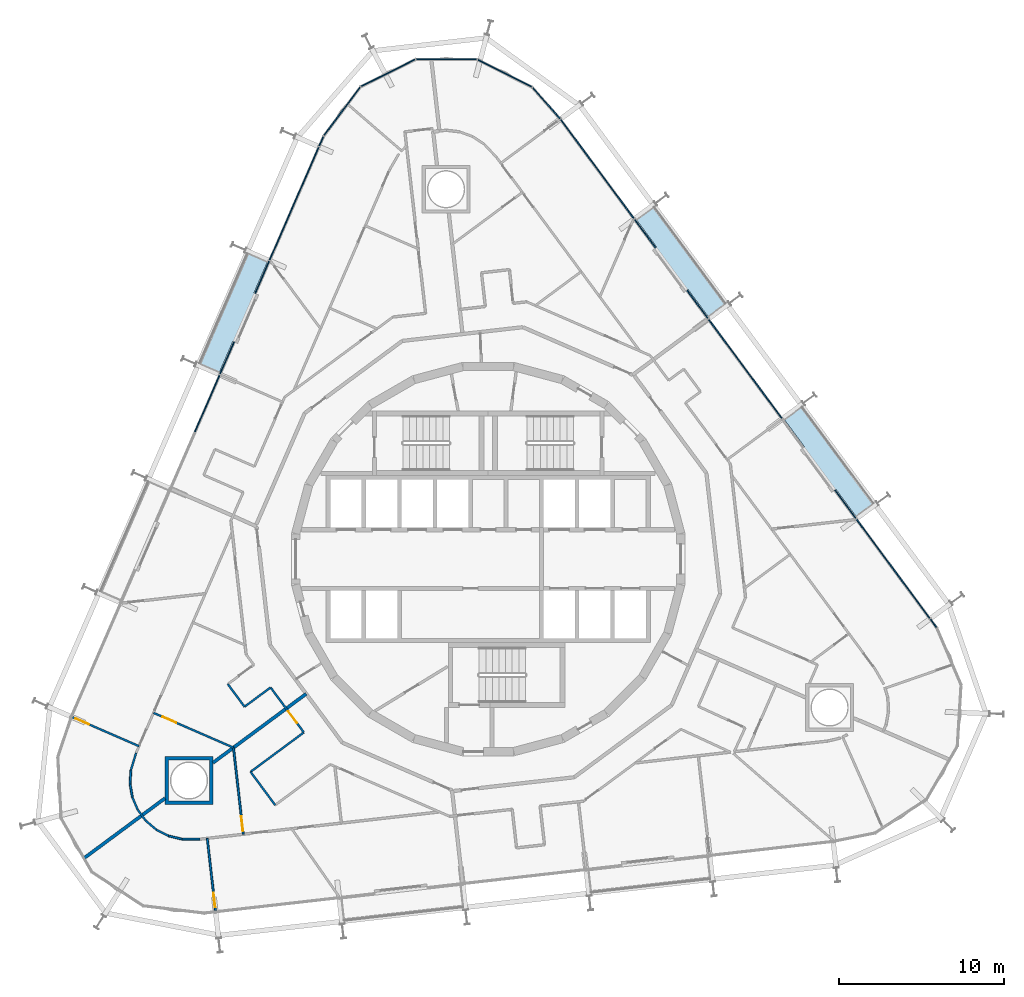
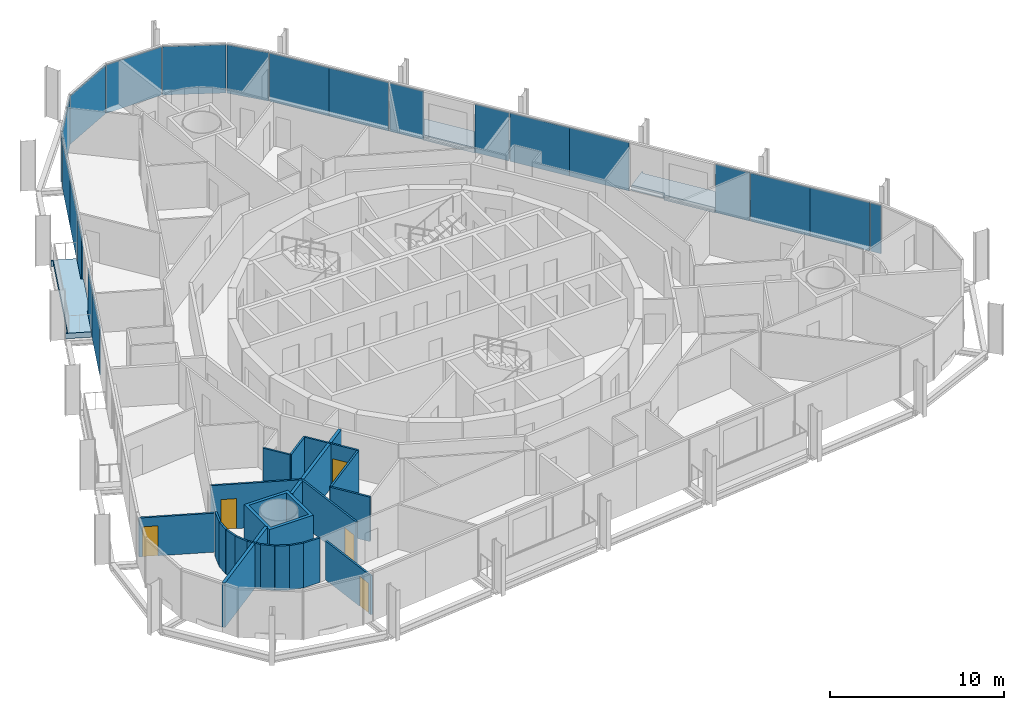
# One storey, part 13 of 21: 21 plates, 21 walls, 5 doors, 3 slabs, 5 openings, 4 elements without a shape of their own.
"""IFC4 building model written with IfcOpenShell, lengths in metres."""

from ifc_helpers import new_model, si_unit, direction, frame, frame_2d, origin, origin_2d, place, context, subcontext, project, spatial, polyline, rectangle, outline, extrude, material, layer, layer_set, type_object, element, fill, aggregate, save


model = new_model("IFC4")

# Units and contexts
model_context = context("Model", 3, precision=1e-05, world=origin(), true_north=direction((0.0, 1.0)))
body_context = subcontext(model_context, "Body", "Model", "MODEL_VIEW")
ifc_project = project(units=[si_unit("LENGTHUNIT", "METRE"), si_unit("AREAUNIT", "SQUARE_METRE"), si_unit("VOLUMEUNIT", "CUBIC_METRE"), si_unit("PLANEANGLEUNIT", "RADIAN"), si_unit("MASSUNIT", "GRAM", prefix="KILO")], contexts=[model_context])

# Site, building, storey
site_placement = place(None, origin())
site = spatial("IfcSite", under=ifc_project, at=site_placement, CompositionType="ELEMENT")
building_placement = place(site_placement, origin())
building = spatial("IfcBuilding", under=site, at=building_placement, Name="Spindle Arch Residences", CompositionType="ELEMENT")
storey_placement = place(building_placement, frame((0.0, 0.0, 97.699951171875)))
storey = spatial("IfcBuildingStorey", under=building, at=storey_placement, Name="L23", CompositionType="ELEMENT", Elevation=97.699951171875)

# Slabs
ifc_material_1 = material(Name="Concrete C40/50", Category="concrete")
ifc_layer_1 = layer(ifc_material_1, 0.3798828125)
ifc_layer_set_1 = layer_set([ifc_layer_1], Name="Balcony slab 380")
slab_type = type_object("IfcSlabType", Name="Balcony slab 380", PredefinedType="FLOOR", material=ifc_layer_set_1)
slab_1_placement = place(storey_placement, frame((0.0, 0.0, -0.3798828125)))
element("IfcSlab", 1, at=slab_1_placement, inside=storey, type_object=slab_type, Name="Balcony L23 bay 7", PredefinedType="FLOOR", context=body_context, shape_type="SweptSolid", body=[
    extrude(outline(polyline([(23.470703125, 3.430419921875), (23.426025390625, 3.49072265625), (23.305419921875, 3.401611328125), (19.011474609375, 9.204345703125), (19.132080078125, 9.293701171875), (19.08740234375, 9.35400390625), (17.8896484375, 8.4677734375), (19.129638671875, 6.7919921875), (19.0009765625, 6.697021484375), (20.904296875, 4.12451171875), (21.032958984375, 4.2197265625), (22.27294921875, 2.544189453125), (23.470703125, 3.430419921875)])), origin(), (0.0, 0.0, 1.0), 0.3798828125),
])
slab_2_placement = place(storey_placement, frame((0.0, 0.0, -0.3798828125)))
element("IfcSlab", 2, at=slab_2_placement, inside=storey, type_object=slab_type, Name="Balcony L23 bay 9", PredefinedType="FLOOR", context=body_context, shape_type="SweptSolid", body=[
    extrude(outline(polyline([(14.52587890625, 15.5185546875), (14.481201171875, 15.578857421875), (14.360595703125, 15.48974609375), (10.066650390625, 21.29248046875), (10.187255859375, 21.3818359375), (10.142822265625, 21.442138671875), (8.945068359375, 20.5556640625), (10.184814453125, 18.880126953125), (10.05615234375, 18.78515625), (11.959716796875, 16.212646484375), (12.088134765625, 16.307861328125), (13.328125, 14.63232421875), (14.52587890625, 15.5185546875)])), origin(), (0.0, 0.0, 1.0), 0.3798828125),
])
slab_3_placement = place(storey_placement, frame((0.0, 0.0, -0.3798828125)))
element("IfcSlab", 3, at=slab_3_placement, inside=storey, type_object=slab_type, Name="Balcony L23 bay 15", PredefinedType="FLOOR", context=body_context, shape_type="SweptSolid", body=[
    extrude(outline(polyline([(-14.7060546875, 18.61083984375), (-14.736083984375, 18.5419921875), (-14.5986328125, 18.482177734375), (-17.47705078125, 11.8623046875), (-17.614501953125, 11.922119140625), (-17.64453125, 11.853271484375), (-16.278076171875, 11.259033203125), (-15.447021484375, 13.170654296875), (-15.30029296875, 13.10693359375), (-14.024169921875, 16.04150390625), (-14.1708984375, 16.105224609375), (-13.33984375, 18.016845703125), (-14.7060546875, 18.61083984375)])), origin(), (0.0, 0.0, 1.0), 0.3798828125),
])

# Curtain wall, plate
ifc_material_2 = material(Name="Aluminium bronze unitised frame with tinted glass", Category="aluminium")
ifc_layer_2 = layer(ifc_material_2, 0.159912109375)
ifc_layer_set_2 = layer_set([ifc_layer_2], Name="CW-D corner wall on the fillet arcs")
curtain_wall_type_1 = type_object("IfcCurtainWallType", Name="CW-D corner wall on the fillet arcs", PredefinedType="NOTDEFINED", material=ifc_layer_set_2)
curtain_wall_1_placement = place(storey_placement, origin())
curtain_wall_1 = element("IfcCurtainWall", 4, at=curtain_wall_1_placement, inside=storey, type_object=curtain_wall_type_1, Name="CW-D L23 run 1", PredefinedType="NOTDEFINED")
ifc_material_3 = material(Name="Tinted double glazing over non-combustible spandrel zone with 0.55 mm stainless steel cavity fire stop (K0)", Category="steel")
ifc_layer_3 = layer(ifc_material_3, 0.070068359375)
ifc_layer_set_3 = layer_set([ifc_layer_3], Name="Unitised glass panel with spandrel zone and stainless cavity fire stop")
plate_type = type_object("IfcPlateType", Name="Unitised glass panel with spandrel zone and stainless cavity fire stop", PredefinedType="CURTAIN_PANEL", material=ifc_layer_set_3)
plate_1_placement = place(storey_placement, frame((26.93408203125, -3.8896484375, -0.3798828125), z_axis=(0.0, 0.0, 1.0), x_axis=(-0.594822786751, 0.803856860617, 0.0)))
plate_1 = element("IfcPlate", 5, at=plate_1_placement, type_object=plate_type, Name="CW-D unit 05", PredefinedType="CURTAIN_PANEL", context=body_context, shape_type="SweptSolid", body=[
    extrude(rectangle(XDim=0.6416015625, YDim=0.070068359375, at=origin_2d()), origin(), (0.0, 0.0, 1.0), 3.3798828125),
])
aggregate(curtain_wall_1, [plate_1])

# Curtain wall, plates
ifc_material_4 = material(Name="Aluminium bronze unitised frame with tinted glass", Category="aluminium")
ifc_layer_4 = layer(ifc_material_4, 0.159912109375)
ifc_layer_set_4 = layer_set([ifc_layer_4], Name="CW-C typical residential unitised wall")
curtain_wall_type_2 = type_object("IfcCurtainWallType", Name="CW-C typical residential unitised wall", PredefinedType="NOTDEFINED", material=ifc_layer_set_4)
curtain_wall_2_placement = place(storey_placement, origin())
curtain_wall_2 = element("IfcCurtainWall", 6, at=curtain_wall_2_placement, inside=storey, type_object=curtain_wall_type_2, Name="CW-C L23 run 2", PredefinedType="NOTDEFINED")
plate_2_placement = place(storey_placement, frame((25.598388671875, -2.084716796875, -0.3798828125), z_axis=(0.0, 0.0, 1.0), x_axis=(-0.594822786751, 0.803856860617, 0.0)))
plate_2 = element("IfcPlate", 7, at=plate_2_placement, type_object=plate_type, Name="CW-C unit 05A", PredefinedType="CURTAIN_PANEL", context=body_context, shape_type="SweptSolid", body=[
    extrude(rectangle(XDim=3.7294921875, YDim=0.070068359375, at=origin_2d()), origin(), (0.0, 0.0, 1.0), 3.3798828125),
])
plate_3_placement = place(storey_placement, frame((23.380126953125, 0.913330078125, -0.3798828125), z_axis=(0.0, 0.0, 1.0), x_axis=(-0.594822786751, 0.803856860617, 0.0)))
plate_3 = element("IfcPlate", 8, at=plate_3_placement, type_object=plate_type, Name="CW-C unit 05B", PredefinedType="CURTAIN_PANEL", context=body_context, shape_type="SweptSolid", body=[
    extrude(rectangle(XDim=3.7294921875, YDim=0.070068359375, at=origin_2d()), origin(), (0.0, 0.0, 1.0), 3.3798828125),
])
plate_4_placement = place(storey_placement, frame((21.60205078125, 3.31640625, -0.3798828125), z_axis=(0.0, 0.0, 1.0), x_axis=(-0.594822786751, 0.803856860617, 0.0)))
plate_4 = element("IfcPlate", 9, at=plate_4_placement, type_object=plate_type, Name="CW-C unit 06L", PredefinedType="CURTAIN_PANEL", context=body_context, shape_type="SweptSolid", body=[
    extrude(rectangle(XDim=2.12939453125, YDim=0.070068359375, at=origin_2d()), origin(), (0.0, 0.0, 1.0), 3.3798828125),
])
plate_5_placement = place(storey_placement, frame((16.65380859375, 10.00341796875, -0.3798828125), z_axis=(0.0, 0.0, 1.0), x_axis=(-0.594822786751, 0.803856860617, 0.0)))
plate_5 = element("IfcPlate", 10, at=plate_5_placement, type_object=plate_type, Name="CW-C unit 07A", PredefinedType="CURTAIN_PANEL", context=body_context, shape_type="SweptSolid", body=[
    extrude(rectangle(XDim=3.7294921875, YDim=0.070068359375, at=origin_2d()), origin(), (0.0, 0.0, 1.0), 3.3798828125),
])
plate_6_placement = place(storey_placement, frame((14.435546875, 13.00146484375, -0.3798828125), z_axis=(0.0, 0.0, 1.0), x_axis=(-0.594822786751, 0.803856860617, 0.0)))
plate_6 = element("IfcPlate", 11, at=plate_6_placement, type_object=plate_type, Name="CW-C unit 07B", PredefinedType="CURTAIN_PANEL", context=body_context, shape_type="SweptSolid", body=[
    extrude(rectangle(XDim=3.7294921875, YDim=0.070068359375, at=origin_2d()), origin(), (0.0, 0.0, 1.0), 3.3798828125),
])
plate_7_placement = place(storey_placement, frame((12.6572265625, 15.404296875, -0.3798828125), z_axis=(0.0, 0.0, 1.0), x_axis=(-0.594822786751, 0.803856860617, 0.0)))
plate_7 = element("IfcPlate", 12, at=plate_7_placement, type_object=plate_type, Name="CW-C unit 08L", PredefinedType="CURTAIN_PANEL", context=body_context, shape_type="SweptSolid", body=[
    extrude(rectangle(XDim=2.12939453125, YDim=0.070068359375, at=origin_2d()), origin(), (0.0, 0.0, 1.0), 3.3798828125),
])
plate_8_placement = place(storey_placement, frame((9.4873046875, 19.6884765625, -0.3798828125), z_axis=(0.0, 0.0, 1.0), x_axis=(-0.594822786751, 0.803856860617, 0.0)))
plate_8 = element("IfcPlate", 13, at=plate_8_placement, type_object=plate_type, Name="CW-C unit 08R", PredefinedType="CURTAIN_PANEL", context=body_context, shape_type="SweptSolid", body=[
    extrude(rectangle(XDim=2.12939453125, YDim=0.070068359375, at=origin_2d()), origin(), (0.0, 0.0, 1.0), 3.3798828125),
])
plate_9_placement = place(storey_placement, frame((7.708984375, 22.091552734375, -0.3798828125), z_axis=(0.0, 0.0, 1.0), x_axis=(-0.594822786751, 0.803856860617, 0.0)))
plate_9 = element("IfcPlate", 14, at=plate_9_placement, type_object=plate_type, Name="CW-C unit 09A", PredefinedType="CURTAIN_PANEL", context=body_context, shape_type="SweptSolid", body=[
    extrude(rectangle(XDim=3.7294921875, YDim=0.070068359375, at=origin_2d()), origin(), (0.0, 0.0, 1.0), 3.3798828125),
])
plate_10_placement = place(storey_placement, frame((5.49072265625, 25.08935546875, -0.3798828125), z_axis=(0.0, 0.0, 1.0), x_axis=(-0.594822786751, 0.803856860617, 0.0)))
plate_10 = element("IfcPlate", 15, at=plate_10_placement, type_object=plate_type, Name="CW-C unit 09B", PredefinedType="CURTAIN_PANEL", context=body_context, shape_type="SweptSolid", body=[
    extrude(rectangle(XDim=3.7294921875, YDim=0.070068359375, at=origin_2d()), origin(), (0.0, 0.0, 1.0), 3.3798828125),
])
aggregate(curtain_wall_2, [plate_2, plate_3, plate_4, plate_5, plate_6, plate_7, plate_8, plate_9, plate_10])

curtain_wall_3_placement = place(storey_placement, origin())
curtain_wall_3 = element("IfcCurtainWall", 16, at=curtain_wall_3_placement, inside=storey, type_object=curtain_wall_type_1, Name="CW-D L23 run 3", PredefinedType="NOTDEFINED")
plate_11_placement = place(storey_placement, frame((3.513427734375, 27.57861328125, -0.3798828125), z_axis=(0.0, 0.0, 1.0), x_axis=(-0.660703891733, 0.750646632877, 0.0)))
plate_11 = element("IfcPlate", 17, at=plate_11_placement, type_object=plate_type, Name="CW-D unit 00", PredefinedType="CURTAIN_PANEL", context=body_context, shape_type="SweptSolid", body=[
    extrude(rectangle(XDim=2.51416015625, YDim=0.070068359375, at=origin_2d()), origin(), (0.0, 0.0, 1.0), 3.3798828125),
])
plate_12_placement = place(storey_placement, frame((1.000244140625, 29.385986328125, -0.3798828125), z_axis=(0.0, 0.0, 1.0), x_axis=(-0.892323355439, 0.451396753797, 0.0)))
plate_12 = element("IfcPlate", 18, at=plate_12_placement, type_object=plate_type, Name="CW-D unit 01", PredefinedType="CURTAIN_PANEL", context=body_context, shape_type="SweptSolid", body=[
    extrude(rectangle(XDim=3.666748046875, YDim=0.070068359375, at=origin_2d()), origin(), (0.0, 0.0, 1.0), 3.3798828125),
])
plate_13_placement = place(storey_placement, frame((-2.52587890625, 30.232421875, -0.3798828125), z_axis=(0.0, 0.0, 1.0), x_axis=(-0.999995769195, 0.002908881551, 0.0)))
plate_13 = element("IfcPlate", 19, at=plate_13_placement, type_object=plate_type, Name="CW-D unit 02", PredefinedType="CURTAIN_PANEL", context=body_context, shape_type="SweptSolid", body=[
    extrude(rectangle(XDim=3.666748046875, YDim=0.070068359375, at=origin_2d()), origin(), (0.0, 0.0, 1.0), 3.3798828125),
])
plate_14_placement = place(storey_placement, frame((-6.056884765625, 29.406494140625, -0.3798828125), z_axis=(0.0, 0.0, 1.0), x_axis=(-0.89493436175, -0.446197812813, 0.0)))
plate_14 = element("IfcPlate", 20, at=plate_14_placement, type_object=plate_type, Name="CW-D unit 03", PredefinedType="CURTAIN_PANEL", context=body_context, shape_type="SweptSolid", body=[
    extrude(rectangle(XDim=3.666748046875, YDim=0.070068359375, at=origin_2d()), origin(), (0.0, 0.0, 1.0), 3.3798828125),
])
plate_15_placement = place(storey_placement, frame((-8.841552734375, 27.08349609375, -0.3798828125), z_axis=(0.0, 0.0, 1.0), x_axis=(-0.599489340736, -0.800382739909, 0.0)))
plate_15 = element("IfcPlate", 21, at=plate_15_placement, type_object=plate_type, Name="CW-D unit 04", PredefinedType="CURTAIN_PANEL", context=body_context, shape_type="SweptSolid", body=[
    extrude(rectangle(XDim=3.666748046875, YDim=0.070068359375, at=origin_2d()), origin(), (0.0, 0.0, 1.0), 3.3798828125),
])
plate_16_placement = place(storey_placement, frame((-10.098388671875, 25.2705078125, -0.3798828125), z_axis=(0.0, 0.0, 1.0), x_axis=(-0.398749068925, -0.917060074385, 0.0)))
plate_16 = element("IfcPlate", 22, at=plate_16_placement, type_object=plate_type, Name="CW-D unit 05", PredefinedType="CURTAIN_PANEL", context=body_context, shape_type="SweptSolid", body=[
    extrude(rectangle(XDim=0.6416015625, YDim=0.070068359375, at=origin_2d()), origin(), (0.0, 0.0, 1.0), 3.3798828125),
])
aggregate(curtain_wall_3, [plate_11, plate_12, plate_13, plate_14, plate_15, plate_16])

curtain_wall_4_placement = place(storey_placement, origin())
curtain_wall_4 = element("IfcCurtainWall", 23, at=curtain_wall_4_placement, inside=storey, type_object=curtain_wall_type_2, Name="CW-C L23 run 4", PredefinedType="NOTDEFINED")
plate_17_placement = place(storey_placement, frame((-10.993896484375, 23.211181640625, -0.3798828125), z_axis=(0.0, 0.0, 1.0), x_axis=(-0.398749068925, -0.917060074385, 0.0)))
plate_17 = element("IfcPlate", 24, at=plate_17_placement, type_object=plate_type, Name="CW-C unit 13A", PredefinedType="CURTAIN_PANEL", context=body_context, shape_type="SweptSolid", body=[
    extrude(rectangle(XDim=3.7294921875, YDim=0.070068359375, at=origin_2d()), origin(), (0.0, 0.0, 1.0), 3.3798828125),
])
plate_18_placement = place(storey_placement, frame((-12.48095703125, 19.791259765625, -0.3798828125), z_axis=(0.0, 0.0, 1.0), x_axis=(-0.398749068925, -0.917060074385, 0.0)))
plate_18 = element("IfcPlate", 25, at=plate_18_placement, type_object=plate_type, Name="CW-C unit 13B", PredefinedType="CURTAIN_PANEL", context=body_context, shape_type="SweptSolid", body=[
    extrude(rectangle(XDim=3.7294921875, YDim=0.070068359375, at=origin_2d()), origin(), (0.0, 0.0, 1.0), 3.3798828125),
])
plate_19_placement = place(storey_placement, frame((-13.673095703125, 17.0498046875, -0.3798828125), z_axis=(0.0, 0.0, 1.0), x_axis=(-0.398749068925, -0.917060074385, 0.0)))
plate_19 = element("IfcPlate", 26, at=plate_19_placement, type_object=plate_type, Name="CW-C unit 14L", PredefinedType="CURTAIN_PANEL", context=body_context, shape_type="SweptSolid", body=[
    extrude(rectangle(XDim=2.12939453125, YDim=0.070068359375, at=origin_2d()), origin(), (0.0, 0.0, 1.0), 3.3798828125),
])
plate_20_placement = place(storey_placement, frame((-15.798095703125, 12.162353515625, -0.3798828125), z_axis=(0.0, 0.0, 1.0), x_axis=(-0.398749068925, -0.917060074385, 0.0)))
plate_20 = element("IfcPlate", 27, at=plate_20_placement, type_object=plate_type, Name="CW-C unit 14R", PredefinedType="CURTAIN_PANEL", context=body_context, shape_type="SweptSolid", body=[
    extrude(rectangle(XDim=2.12939453125, YDim=0.070068359375, at=origin_2d()), origin(), (0.0, 0.0, 1.0), 3.3798828125),
])
plate_21_placement = place(storey_placement, frame((-16.990234375, 9.4208984375, -0.3798828125), z_axis=(0.0, 0.0, 1.0), x_axis=(-0.398749068925, -0.917060074385, 0.0)))
plate_21 = element("IfcPlate", 28, at=plate_21_placement, type_object=plate_type, Name="CW-C unit 15A", PredefinedType="CURTAIN_PANEL", context=body_context, shape_type="SweptSolid", body=[
    extrude(rectangle(XDim=3.7294921875, YDim=0.070068359375, at=origin_2d()), origin(), (0.0, 0.0, 1.0), 3.3798828125),
])
aggregate(curtain_wall_4, [plate_17, plate_18, plate_19, plate_20, plate_21])

# Walls
ifc_material_5 = material(Name="Plasterboard on steel studs", Category="steel")
ifc_layer_5 = layer(ifc_material_5, 0.1201171875)
ifc_layer_set_5 = layer_set([ifc_layer_5], Name="Flat partition 120")
wall_type_1 = type_object("IfcWallType", Name="Flat partition 120", PredefinedType="PARTITIONING", material=ifc_layer_set_5)
wall_1_placement = place(storey_placement, frame((-15.75, -7.562255859375, 0.0), z_axis=(0.0, 0.0, 1.0), x_axis=(0.594863421241, -0.803826791087, 0.0)))
element("IfcWall", 29, at=wall_1_placement, inside=storey, type_object=wall_type_1, Name="Flat partition R2C0-W086", PredefinedType="PARTITIONING", context=body_context, shape_type="SweptSolid", body=[
    extrude(rectangle(XDim=1.699951171875, YDim=0.1201171875, at=frame_2d((0.85009765625, 0.0))), origin(), (0.0, 0.0, 1.0), 3.1201171875),
])
wall_2_placement = place(storey_placement, frame((-14.73876953125, -8.9287109375, 0.0), z_axis=(0.0, 0.0, 1.0), x_axis=(0.803901491033, 0.594762467474, 0.0)))
element("IfcWall", 30, at=wall_2_placement, inside=storey, type_object=wall_type_1, Name="Flat partition R2C0-W087", PredefinedType="PARTITIONING", context=body_context, shape_type="SweptSolid", body=[
    extrude(rectangle(XDim=1.958740234375, YDim=0.1201171875, at=frame_2d((0.9794921875, 0.0))), origin(), (0.0, 0.0, 1.0), 3.1201171875),
])

# Wall, opening, door
wall_3_placement = place(storey_placement, frame((-13.1640625, -7.763671875, 0.0), z_axis=(0.0, 0.0, 1.0), x_axis=(0.594837409261, -0.803846040324, 0.0)))
wall_3 = element("IfcWall", 31, at=wall_3_placement, inside=storey, type_object=wall_type_1, Name="Flat partition R2C0-W088", PredefinedType="PARTITIONING", context=body_context, shape_type="SweptSolid", body=[
    extrude(rectangle(XDim=3.3828125, YDim=0.1201171875, at=frame_2d((1.69140625, 0.0))), origin(), (0.0, 0.0, 1.0), 3.1201171875),
])
opening_1_placement = place(wall_3_placement, frame((1.789306640625, 0.0, 0.0)))
opening_1 = element("IfcOpeningElement", 32, at=opening_1_placement, cuts=wall_3, Name="Opening R2C0-ID27", PredefinedType="OPENING", context=body_context, shape_type="SweptSolid", body=[
    extrude(rectangle(XDim=0.89990234375, YDim=2.10009765625, at=frame_2d((0.449951171875, 1.050048828125))), frame((0.0, 0.070068359375, 0.0), z_axis=(0.0, -1.0, 0.0), x_axis=(1.0, 0.0, 0.0)), (0.0, 0.0, 1.0), 0.14013671875),
])
ifc_material_6 = material(Name="Timber door set", Category="wood")
door_type = type_object("IfcDoorType", Name="Room door 900x2100", OperationType="NOTDEFINED", PredefinedType="DOOR", material=ifc_material_6)
door_1_placement = place(opening_1_placement, origin())
door_1 = element("IfcDoor", 33, at=door_1_placement, inside=storey, type_object=door_type, Name="Room door R2C0-ID27", OperationType="SINGLE_SWING_LEFT", OverallHeight=2.10009765625, OverallWidth=0.89990234375, PredefinedType="DOOR", context=body_context, shape_type="SweptSolid", body=[
    extrude(rectangle(XDim=0.89990234375, YDim=2.10009765625, at=frame_2d((0.449951171875, 1.050048828125))), frame((0.0, 0.02490234375, 0.0), z_axis=(0.0, -1.0, 0.0), x_axis=(1.0, 0.0, 0.0)), (0.0, 0.0, 1.0), 0.050048828125),
])
fill(opening_1, door_1)

wall_4_placement = place(storey_placement, frame((-20.2451171875, -9.30029296875, 0.0), z_axis=(0.0, 0.0, 1.0), x_axis=(0.91706784774, -0.398731190956, 0.0)))
wall_4 = element("IfcWall", 34, at=wall_4_placement, inside=storey, type_object=wall_type_1, Name="Flat partition R2C0-W093", PredefinedType="PARTITIONING", context=body_context, shape_type="SweptSolid", body=[
    extrude(rectangle(XDim=5.2724609375, YDim=0.1201171875, at=frame_2d((2.63623046875, 0.0))), origin(), (0.0, 0.0, 1.0), 3.1201171875),
])
opening_2_placement = place(wall_4_placement, frame((0.60009765625, 0.0, 0.0)))
opening_2 = element("IfcOpeningElement", 35, at=opening_2_placement, cuts=wall_4, Name="Opening R2C0-ID23", PredefinedType="OPENING", context=body_context, shape_type="SweptSolid", body=[
    extrude(rectangle(XDim=0.89990234375, YDim=2.10009765625, at=frame_2d((0.449951171875, 1.050048828125))), frame((0.0, 0.070068359375, 0.0), z_axis=(0.0, -1.0, 0.0), x_axis=(1.0, 0.0, 0.0)), (0.0, 0.0, 1.0), 0.14013671875),
])
door_2_placement = place(opening_2_placement, origin())
door_2 = element("IfcDoor", 36, at=door_2_placement, inside=storey, type_object=door_type, Name="Room door R2C0-ID23", OperationType="SINGLE_SWING_RIGHT", OverallHeight=2.10009765625, OverallWidth=0.89990234375, PredefinedType="DOOR", context=body_context, shape_type="SweptSolid", body=[
    extrude(rectangle(XDim=0.89990234375, YDim=2.10009765625, at=frame_2d((0.449951171875, 1.050048828125))), frame((0.0, 0.02490234375, 0.0), z_axis=(0.0, -1.0, 0.0), x_axis=(1.0, 0.0, 0.0)), (0.0, 0.0, 1.0), 0.050048828125),
])
fill(opening_2, door_2)

# Walls
for number, where, z_axis, x_axis, name in (
    (37, (-20.702880859375, -15.834716796875, 0.0), (0.0, 0.0, 1.0), (-0.594755442796, 0.803906688158, 0.0), "Flat partition R2C0-W094"),
    (38, (-21.19580078125, -15.16845703125, 0.0), (0.0, 0.0, 1.0), (-0.393528213057, 0.919312539634, 0.0), "Flat partition R2C0-W095"),
):
    element("IfcWall", number, at=place(storey_placement, frame(where, z_axis=z_axis, x_axis=x_axis)), inside=storey, type_object=wall_type_1, Name=name, PredefinedType="PARTITIONING", context=body_context, shape_type="SweptSolid", body=[
        extrude(rectangle(XDim=0.828857421875, YDim=0.1201171875, at=frame_2d((0.41455078125, 0.0))), origin(), (0.0, 0.0, 1.0), 3.1201171875),
    ])
wall_5_placement = place(storey_placement, frame((-21.52197265625, -14.406494140625, 0.0), z_axis=(0.0, 0.0, 1.0), x_axis=(-0.170794347099, 0.985306698952, 0.0)))
element("IfcWall", 39, at=wall_5_placement, inside=storey, type_object=wall_type_1, Name="Flat partition R2C0-W096", PredefinedType="PARTITIONING", context=body_context, shape_type="SweptSolid", body=[
    extrude(rectangle(XDim=0.8291015625, YDim=0.1201171875, at=frame_2d((0.41455078125, 0.0))), origin(), (0.0, 0.0, 1.0), 3.1201171875),
])
wall_6_placement = place(storey_placement, frame((-21.66357421875, -13.589599609375, 0.0), z_axis=(0.0, 0.0, 1.0), x_axis=(0.061277779288, 0.998120751095, 0.0)))
element("IfcWall", 40, at=wall_6_placement, inside=storey, type_object=wall_type_1, Name="Flat partition R2C0-W097", PredefinedType="PARTITIONING", context=body_context, shape_type="SweptSolid", body=[
    extrude(rectangle(XDim=0.82861328125, YDim=0.1201171875, at=frame_2d((0.414306640625, 0.0))), origin(), (0.0, 0.0, 1.0), 3.1201171875),
])
wall_7_placement = place(storey_placement, frame((-21.61279296875, -12.762451171875, 0.0), z_axis=(0.0, 0.0, 1.0), x_axis=(0.289552239308, 0.95716221233, 0.0)))
element("IfcWall", 41, at=wall_7_placement, inside=storey, type_object=wall_type_1, Name="Flat partition R2C0-W098", PredefinedType="PARTITIONING", context=body_context, shape_type="SweptSolid", body=[
    extrude(rectangle(XDim=1.0869140625, YDim=0.1201171875, at=frame_2d((0.54345703125, 0.0))), origin(), (0.0, 0.0, 1.0), 3.1201171875),
])
wall_8_placement = place(storey_placement, frame((-11.15185546875, -10.48291015625, 0.0), z_axis=(0.0, 0.0, 1.0), x_axis=(-0.803843064298, -0.594841430954, 0.0)))
element("IfcWall", 42, at=wall_8_placement, inside=storey, type_object=wall_type_1, Name="Flat partition R2C0-W099", PredefinedType="PARTITIONING", context=body_context, shape_type="SweptSolid", body=[
    extrude(rectangle(XDim=4.0078125, YDim=0.1201171875, at=frame_2d((2.00390625, 0.0))), origin(), (0.0, 0.0, 1.0), 3.1201171875),
])
wall_9_placement = place(storey_placement, frame((-14.37353515625, -12.866943359375, 0.0), z_axis=(0.0, 0.0, 1.0), x_axis=(0.594800097121, -0.803873649565, 0.0)))
element("IfcWall", 43, at=wall_9_placement, inside=storey, type_object=wall_type_1, Name="Flat partition R2C0-W100", PredefinedType="PARTITIONING", context=body_context, shape_type="SweptSolid", body=[
    extrude(rectangle(XDim=2.5, YDim=0.1201171875, at=frame_2d((1.25, 0.0))), origin(), (0.0, 0.0, 1.0), 3.1201171875),
])
for number, where, z_axis, x_axis, name in (
    (44, (-20.702880859375, -15.834716796875, 0.0), (0.0, 0.0, 1.0), (0.764223440539, -0.644951574097, 0.0), "Flat partition R2C0-W104"),
    (45, (-20.0693359375, -16.369384765625, 0.0), (0.0, 0.0, 1.0), (0.89229682893, -0.451449187706, 0.0), "Flat partition R2C0-W105"),
):
    element("IfcWall", number, at=place(storey_placement, frame(where, z_axis=z_axis, x_axis=x_axis)), inside=storey, type_object=wall_type_1, Name=name, PredefinedType="PARTITIONING", context=body_context, shape_type="SweptSolid", body=[
        extrude(rectangle(XDim=0.8291015625, YDim=0.1201171875, at=frame_2d((0.41455078125, 0.0))), origin(), (0.0, 0.0, 1.0), 3.1201171875),
    ])
wall_10_placement = place(storey_placement, frame((-19.32958984375, -16.74365234375, 0.0), z_axis=(0.0, 0.0, 1.0), x_axis=(0.972403343288, -0.23330610357, 0.0)))
element("IfcWall", 46, at=wall_10_placement, inside=storey, type_object=wall_type_1, Name="Flat partition R2C0-W106", PredefinedType="PARTITIONING", context=body_context, shape_type="SweptSolid", body=[
    extrude(rectangle(XDim=0.828857421875, YDim=0.1201171875, at=frame_2d((0.41455078125, 0.0))), origin(), (0.0, 0.0, 1.0), 3.1201171875),
])
wall_11_placement = place(storey_placement, frame((-18.523681640625, -16.93701171875, 0.0), z_axis=(0.0, 0.0, 1.0), x_axis=(0.999995736722, -0.00292002349, 0.0)))
element("IfcWall", 47, at=wall_11_placement, inside=storey, type_object=wall_type_1, Name="Flat partition R2C0-W107", PredefinedType="PARTITIONING", context=body_context, shape_type="SweptSolid", body=[
    extrude(rectangle(XDim=1.0869140625, YDim=0.1201171875, at=frame_2d((0.54345703125, 0.0))), origin(), (0.0, 0.0, 1.0), 3.1201171875),
])

# Wall, opening, door
wall_12_placement = place(storey_placement, frame((-14.81298828125, -16.641357421875, 0.0), z_axis=(0.0, 0.0, 1.0), x_axis=(-0.113210971478, 0.993570971767, 0.0)))
wall_12 = element("IfcWall", 48, at=wall_12_placement, inside=storey, type_object=wall_type_1, Name="Flat partition R2C0-W109", PredefinedType="PARTITIONING", context=body_context, shape_type="SweptSolid", body=[
    extrude(rectangle(XDim=5.272705078125, YDim=0.1201171875, at=frame_2d((2.63623046875, 0.0))), origin(), (0.0, 0.0, 1.0), 3.1201171875),
])
opening_3_placement = place(wall_12_placement, frame((0.199951171875, 0.0, 0.0)))
opening_3 = element("IfcOpeningElement", 49, at=opening_3_placement, cuts=wall_12, Name="Opening R2C0-ID28", PredefinedType="OPENING", context=body_context, shape_type="SweptSolid", body=[
    extrude(rectangle(XDim=0.89990234375, YDim=2.10009765625, at=frame_2d((0.449951171875, 1.050048828125))), frame((0.0, 0.070068359375, 0.0), z_axis=(0.0, -1.0, 0.0), x_axis=(1.0, 0.0, 0.0)), (0.0, 0.0, 1.0), 0.14013671875),
])
door_3_placement = place(opening_3_placement, origin())
door_3 = element("IfcDoor", 50, at=door_3_placement, inside=storey, type_object=door_type, Name="Room door R2C0-ID28", OperationType="SINGLE_SWING_LEFT", OverallHeight=2.10009765625, OverallWidth=0.89990234375, PredefinedType="DOOR", context=body_context, shape_type="SweptSolid", body=[
    extrude(rectangle(XDim=0.89990234375, YDim=2.10009765625, at=frame_2d((0.449951171875, 1.050048828125))), frame((0.0, 0.02490234375, 0.0), z_axis=(0.0, -1.0, 0.0), x_axis=(1.0, 0.0, 0.0)), (0.0, 0.0, 1.0), 0.050048828125),
])
fill(opening_3, door_3)

ifc_material_7 = material(Name="Plasterboard on steel studs", Category="steel")
ifc_layer_6 = layer(ifc_material_7, 0.1201171875)
ifc_layer_set_6 = layer_set([ifc_layer_6], Name="Flat partition 120 under beam 2730")
wall_type_2 = type_object("IfcWallType", Name="Flat partition 120 under beam 2730", PredefinedType="PARTITIONING", material=ifc_layer_set_6)
wall_13_placement = place(storey_placement, frame((-25.155517578125, -9.55908203125, 0.0), z_axis=(0.0, 0.0, 1.0), x_axis=(0.917042707292, -0.398789008127, 0.0)))
wall_13 = element("IfcWall", 51, at=wall_13_placement, inside=storey, type_object=wall_type_2, Name="Flat partition R2C0-W092", PredefinedType="PARTITIONING", context=body_context, shape_type="SweptSolid", body=[
    extrude(rectangle(XDim=4.39990234375, YDim=0.1201171875, at=frame_2d((2.199951171875, 0.0))), origin(), (0.0, 0.0, 1.0), 2.72998046875),
])
opening_4_placement = place(wall_13_placement, frame((0.199951171875, 0.0, 0.0)))
opening_4 = element("IfcOpeningElement", 52, at=opening_4_placement, cuts=wall_13, Name="Opening R2C0-ID25", PredefinedType="OPENING", context=body_context, shape_type="SweptSolid", body=[
    extrude(rectangle(XDim=0.89990234375, YDim=2.10009765625, at=frame_2d((0.449951171875, 1.050048828125))), frame((0.0, 0.070068359375, 0.0), z_axis=(0.0, -1.0, 0.0), x_axis=(1.0, 0.0, 0.0)), (0.0, 0.0, 1.0), 0.14013671875),
])
door_4_placement = place(opening_4_placement, origin())
door_4 = element("IfcDoor", 53, at=door_4_placement, inside=storey, type_object=door_type, Name="Room door R2C0-ID25", OperationType="SINGLE_SWING_RIGHT", OverallHeight=2.10009765625, OverallWidth=0.89990234375, PredefinedType="DOOR", context=body_context, shape_type="SweptSolid", body=[
    extrude(rectangle(XDim=0.89990234375, YDim=2.10009765625, at=frame_2d((0.449951171875, 1.050048828125))), frame((0.0, 0.02490234375, 0.0), z_axis=(0.0, -1.0, 0.0), x_axis=(1.0, 0.0, 0.0)), (0.0, 0.0, 1.0), 0.050048828125),
])
fill(opening_4, door_4)

wall_14_placement = place(storey_placement, frame((-16.49609375, -21.26171875, 0.0), z_axis=(0.0, 0.0, 1.0), x_axis=(-0.1132445713, 0.993567142709, 0.0)))
wall_14 = element("IfcWall", 54, at=wall_14_placement, inside=storey, type_object=wall_type_2, Name="Flat partition R2C0-W110", PredefinedType="PARTITIONING", context=body_context, shape_type="SweptSolid", body=[
    extrude(rectangle(XDim=4.400146484375, YDim=0.1201171875, at=frame_2d((2.2001953125, 0.0))), origin(), (0.0, 0.0, 1.0), 2.72998046875),
])
opening_5_placement = place(wall_14_placement, frame((0.199951171875, 0.0, 0.0)))
opening_5 = element("IfcOpeningElement", 55, at=opening_5_placement, cuts=wall_14, Name="Opening R2C0-ID31", PredefinedType="OPENING", context=body_context, shape_type="SweptSolid", body=[
    extrude(rectangle(XDim=0.89990234375, YDim=2.10009765625, at=frame_2d((0.449951171875, 1.050048828125))), frame((0.0, 0.070068359375, 0.0), z_axis=(0.0, -1.0, 0.0), x_axis=(1.0, 0.0, 0.0)), (0.0, 0.0, 1.0), 0.14013671875),
])
door_5_placement = place(opening_5_placement, origin())
door_5 = element("IfcDoor", 56, at=door_5_placement, inside=storey, type_object=door_type, Name="Room door R2C0-ID31", OperationType="SINGLE_SWING_LEFT", OverallHeight=2.10009765625, OverallWidth=0.89990234375, PredefinedType="DOOR", context=body_context, shape_type="SweptSolid", body=[
    extrude(rectangle(XDim=0.89990234375, YDim=2.10009765625, at=frame_2d((0.449951171875, 1.050048828125))), frame((0.0, 0.02490234375, 0.0), z_axis=(0.0, -1.0, 0.0), x_axis=(1.0, 0.0, 0.0)), (0.0, 0.0, 1.0), 0.050048828125),
])
fill(opening_5, door_5)

# Walls
ifc_material_8 = material(Name="Calcium silicate block, plastered")
ifc_layer_7 = layer(ifc_material_8, 0.199951171875)
ifc_layer_set_7 = layer_set([ifc_layer_7], Name="Flat party wall 200")
wall_type_3 = type_object("IfcWallType", Name="Flat party wall 200", PredefinedType="STANDARD", material=ifc_layer_set_7)
wall_15_placement = place(storey_placement, frame((-16.64892578125, -12.319580078125, 0.0), z_axis=(0.0, 0.0, 1.0), x_axis=(0.803869204071, 0.594806105169, 0.0)))
element("IfcWall", 57, at=wall_15_placement, inside=storey, type_object=wall_type_3, Name="Flat party wall R2C0-W026", PredefinedType="STANDARD", context=body_context, shape_type="SweptSolid", body=[
    extrude(rectangle(XDim=7.011474609375, YDim=0.199951171875, at=frame_2d((3.505859375, 0.0))), origin(), (0.0, 0.0, 1.0), 3.1201171875),
])
wall_16_placement = place(storey_placement, frame((-24.486083984375, -18.118896484375, 0.0), z_axis=(0.0, 0.0, 1.0), x_axis=(0.80384227933, 0.594842491726, 0.0)))
element("IfcWall", 58, at=wall_16_placement, inside=storey, type_object=wall_type_3, Name="Flat party wall R2C0-W027", PredefinedType="STANDARD", context=body_context, shape_type="SweptSolid", body=[
    extrude(rectangle(XDim=6.14208984375, YDim=0.199951171875, at=frame_2d((3.071044921875, 0.0))), origin(), (0.0, 0.0, 1.0), 3.1201171875),
])
ifc_material_9 = material(Name="Calcium silicate block, plastered")
ifc_layer_8 = layer(ifc_material_9, 0.199951171875)
ifc_layer_set_8 = layer_set([ifc_layer_8], Name="Mega-column casing wall 200")
wall_type_4 = type_object("IfcWallType", Name="Mega-column casing wall 200", PredefinedType="STANDARD", material=ifc_layer_set_8)
wall_17_placement = place(storey_placement, origin())
element("IfcWall", 59, at=wall_17_placement, inside=storey, type_object=wall_type_4, Name="Mega-column casing wall R2C0-WC02", PredefinedType="STANDARD", context=body_context, shape_type="SweptSolid", body=[
    extrude(outline(polyline([(-16.64892578125, -11.9423828125), (-16.64892578125, -14.842529296875), (-19.548828125, -14.842529296875), (-19.548828125, -11.9423828125), (-16.64892578125, -11.9423828125)]), holes=[polyline([(-19.348876953125, -14.642578125), (-16.848876953125, -14.642578125), (-16.848876953125, -12.142578125), (-19.348876953125, -12.142578125), (-19.348876953125, -14.642578125)])]), origin(), (0.0, 0.0, 1.0), 3.1201171875),
])

save(model, "model.ifc")
